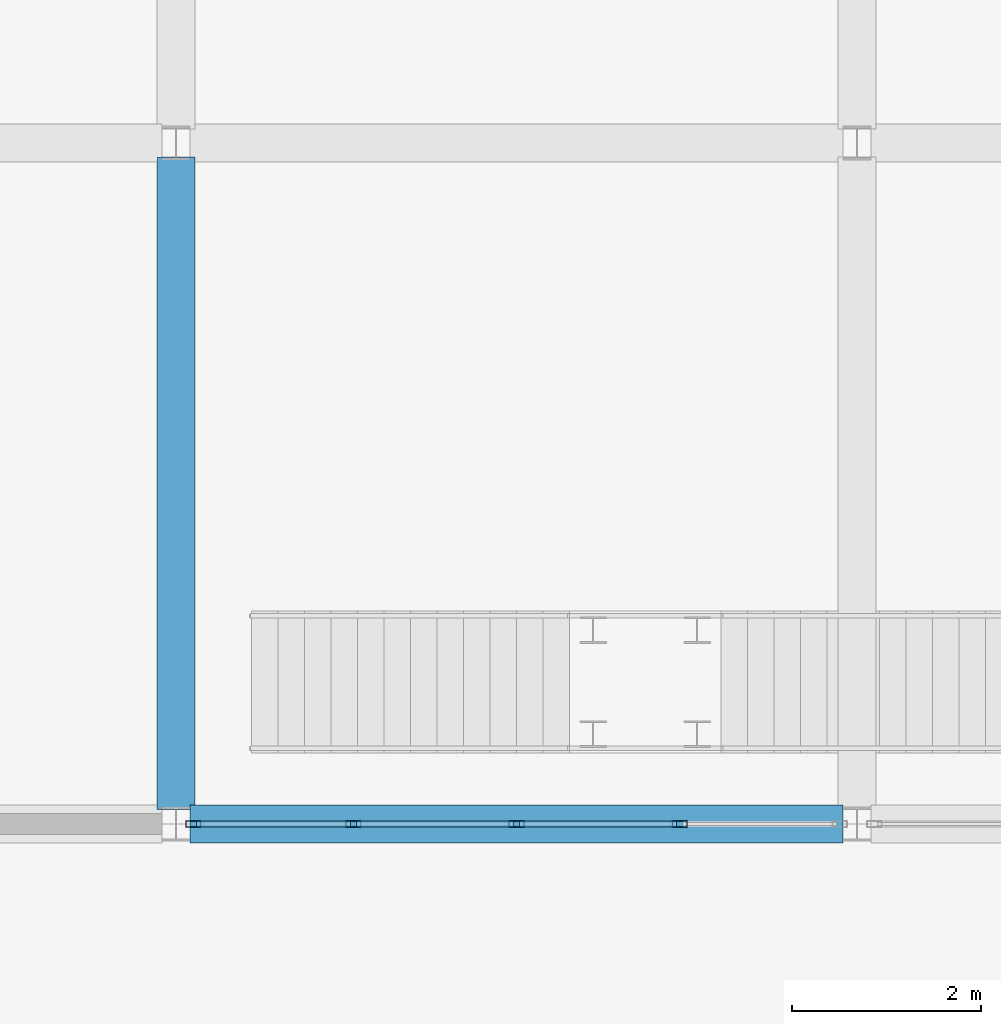
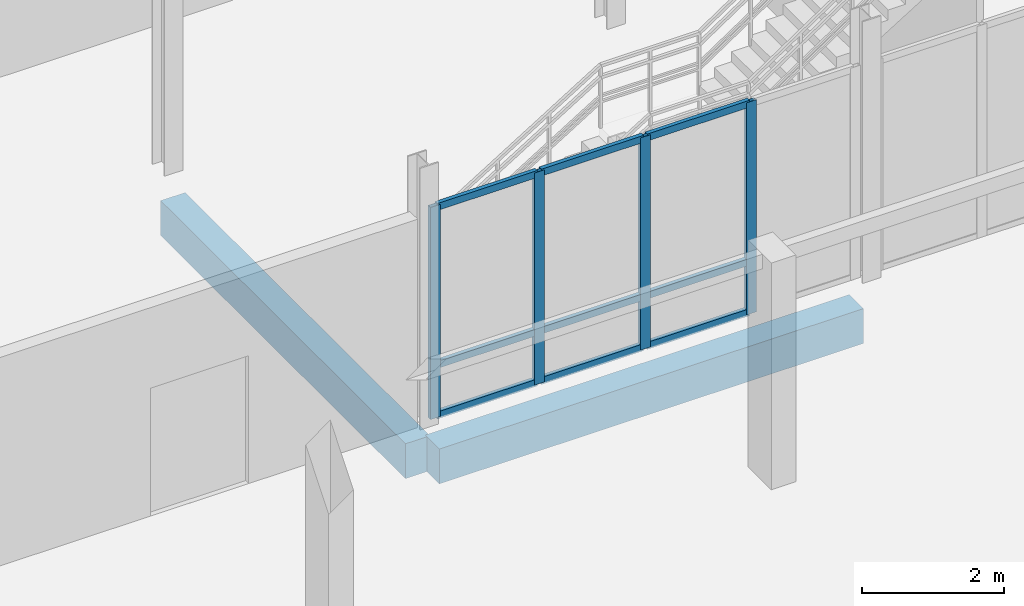
# One storey, part 77 of 139: 13 members, 2 beams, 1 element without a shape of its own.
"""IFC4 building model written with IfcOpenShell, lengths in metres."""

from ifc_helpers import new_model, si_unit, direction, frame, origin, origin_2d, place, context, subcontext, project, spatial, rectangle, hollow_rectangle, extrude, material, material_profile, profile_set, type_object, element, aggregate, save


model = new_model("IFC4")

# Units and contexts
model_context = context("Model", 3, precision=1e-05, world=origin(), true_north=direction((0.0, 1.0)))
body_context = subcontext(model_context, "Body", "Model", "MODEL_VIEW")
ifc_project = project(units=[si_unit("LENGTHUNIT", "METRE"), si_unit("AREAUNIT", "SQUARE_METRE"), si_unit("VOLUMEUNIT", "CUBIC_METRE"), si_unit("PLANEANGLEUNIT", "RADIAN"), si_unit("MASSUNIT", "GRAM", prefix="KILO")], contexts=[model_context])

# Site, building, storey
site_placement = place(None, origin())
site = spatial("IfcSite", under=ifc_project, at=site_placement, CompositionType="ELEMENT")
building_placement = place(site_placement, origin())
building = spatial("IfcBuilding", under=site, at=building_placement, Name="Suanplinth Sawtooth Commons", CompositionType="ELEMENT")
storey_placement = place(building_placement, origin())
storey = spatial("IfcBuildingStorey", under=building, at=storey_placement, Name="L00", CompositionType="ELEMENT", Elevation=0.0)

# Beams
ifc_material_1 = material(Name="Precast concrete C40/50", Category="concrete")
ifc_material_profile_1 = material_profile(ifc_material_1, rectangle(XDim=0.39990234375, YDim=0.60009765625, at=origin_2d()), Name="PC-GDR 400x600")
ifc_profile_set_1 = profile_set([ifc_material_profile_1], Name="Precast concrete C40/50")
beam_type = type_object("IfcBeamType", Name="B-05", PredefinedType="USERDEFINED", material=ifc_profile_set_1)
beam_1_placement = place(storey_placement, frame((136.949951171875, 50.39990234375, -0.719970703125), z_axis=(1.0, 0.0, 0.0), x_axis=(0.0, 1.0, 0.0)))
element("IfcBeam", 1, at=beam_1_placement, inside=storey, type_object=beam_type, Name="BMX-L00-NURS-19-7", ObjectType="GIRDER", PredefinedType="USERDEFINED", context=body_context, shape_type="SweptSolid", body=[
    extrude(rectangle(XDim=0.39990234375, YDim=0.60009765625, at=origin_2d()), origin(), (0.0, 0.0, 1.0), 6.900146484375),
])
beam_2_placement = place(storey_placement, frame((136.800048828125, 50.550048828125, -0.719970703125), z_axis=(0.0, 1.0, 0.0), x_axis=(-1.0, 0.0, 0.0)))
element("IfcBeam", 2, at=beam_2_placement, inside=storey, type_object=beam_type, Name="BMY-L00-NURS-19-7", ObjectType="GIRDER", PredefinedType="USERDEFINED", context=body_context, shape_type="SweptSolid", body=[
    extrude(rectangle(XDim=0.39990234375, YDim=0.60009765625, at=origin_2d()), origin(), (0.0, 0.0, 1.0), 6.89990234375),
])

# Curtain wall, members
ifc_material_2 = material(Name="Anodized aluminium and low-E glazing", Category="aluminium")
curtain_wall_type = type_object("IfcCurtainWallType", Name="CW-02", PredefinedType="USERDEFINED", material=ifc_material_2)
curtain_wall_placement = place(storey_placement, origin())
curtain_wall = element("IfcCurtainWall", 3, at=curtain_wall_placement, inside=storey, type_object=curtain_wall_type, Name="Curtain Wall CW-L00-NURS-S-19", ObjectType="CURTAIN WALL", PredefinedType="USERDEFINED")
ifc_material_3 = material(Name="Anodized aluminium 6063-T6", Category="aluminium")
ifc_material_profile_2 = material_profile(ifc_material_3, hollow_rectangle(XDim=0.06494140625, YDim=0.159912109375, WallThickness=0.00390625, at=origin_2d()), Name="ALU-MUL 65x160")
ifc_profile_set_2 = profile_set([ifc_material_profile_2], Name="Anodized aluminium 6063-T6")
member_type_1 = type_object("IfcMemberType", Name="M-13", PredefinedType="MULLION", material=ifc_profile_set_2)
member_1_placement = place(storey_placement, frame((136.982421875, 50.39990234375, 0.0), z_axis=(0.0, 0.0, 1.0), x_axis=(0.0, 1.0, 0.0)))
member_1 = element("IfcMember", 4, at=member_1_placement, type_object=member_type_1, Name="CW-02 mullion 1", PredefinedType="MULLION", context=body_context, shape_type="SweptSolid", body=[
    extrude(hollow_rectangle(XDim=0.06494140625, YDim=0.159912109375, WallThickness=0.00390625, at=origin_2d()), origin(), (0.0, 0.0, 1.0), 3.64990234375),
])
member_2_placement = place(storey_placement, frame((138.675048828125, 50.39990234375, 0.0), z_axis=(0.0, 0.0, 1.0), x_axis=(0.0, 1.0, 0.0)))
member_2 = element("IfcMember", 5, at=member_2_placement, type_object=member_type_1, Name="CW-02 mullion 2", PredefinedType="MULLION", context=body_context, shape_type="SweptSolid", body=[
    extrude(hollow_rectangle(XDim=0.06494140625, YDim=0.159912109375, WallThickness=0.00390625, at=origin_2d()), origin(), (0.0, 0.0, 1.0), 3.64990234375),
])
member_3_placement = place(storey_placement, frame((140.39990234375, 50.39990234375, 0.0), z_axis=(0.0, 0.0, 1.0), x_axis=(0.0, 1.0, 0.0)))
member_3 = element("IfcMember", 6, at=member_3_placement, type_object=member_type_1, Name="CW-02 mullion 3", PredefinedType="MULLION", context=body_context, shape_type="SweptSolid", body=[
    extrude(hollow_rectangle(XDim=0.06494140625, YDim=0.159912109375, WallThickness=0.00390625, at=origin_2d()), origin(), (0.0, 0.0, 1.0), 3.64990234375),
])
member_4_placement = place(storey_placement, frame((142.125, 50.39990234375, 0.0), z_axis=(0.0, 0.0, 1.0), x_axis=(0.0, 1.0, 0.0)))
member_4 = element("IfcMember", 7, at=member_4_placement, type_object=member_type_1, Name="CW-02 mullion 4", PredefinedType="MULLION", context=body_context, shape_type="SweptSolid", body=[
    extrude(hollow_rectangle(XDim=0.06494140625, YDim=0.159912109375, WallThickness=0.00390625, at=origin_2d()), origin(), (0.0, 0.0, 1.0), 3.64990234375),
])
ifc_material_profile_3 = material_profile(ifc_material_3, hollow_rectangle(XDim=0.06494140625, YDim=0.1201171875, WallThickness=0.00390625, at=origin_2d()), Name="ALU-TRN 65x120")
ifc_profile_set_3 = profile_set([ifc_material_profile_3], Name="Anodized aluminium 6063-T6")
member_type_2 = type_object("IfcMemberType", Name="M-15", PredefinedType="USERDEFINED", material=ifc_profile_set_3)
member_5_placement = place(storey_placement, frame((137.014892578125, 50.39990234375, 0.032470703125), z_axis=(1.0, 0.0, 0.0), x_axis=(0.0, 1.0, 0.0)))
member_5 = element("IfcMember", 8, at=member_5_placement, type_object=member_type_2, Name="CW-02 transom 1.1", ObjectType="TRANSOM", PredefinedType="USERDEFINED", context=body_context, shape_type="SweptSolid", body=[
    extrude(hollow_rectangle(XDim=0.06494140625, YDim=0.1201171875, WallThickness=0.00390625, at=origin_2d()), origin(), (0.0, 0.0, 1.0), 1.627685546875),
])
member_6_placement = place(storey_placement, frame((137.014892578125, 50.39990234375, 0.89990234375), z_axis=(1.0, 0.0, 0.0), x_axis=(0.0, 1.0, 0.0)))
member_6 = element("IfcMember", 9, at=member_6_placement, type_object=member_type_2, Name="CW-02 transom 1.2", ObjectType="TRANSOM", PredefinedType="USERDEFINED", context=body_context, shape_type="SweptSolid", body=[
    extrude(hollow_rectangle(XDim=0.06494140625, YDim=0.1201171875, WallThickness=0.00390625, at=origin_2d()), origin(), (0.0, 0.0, 1.0), 1.627685546875),
])
member_7_placement = place(storey_placement, frame((137.014892578125, 50.39990234375, 3.617431640625), z_axis=(1.0, 0.0, 0.0), x_axis=(0.0, 1.0, 0.0)))
member_7 = element("IfcMember", 10, at=member_7_placement, type_object=member_type_2, Name="CW-02 transom 1.3", ObjectType="TRANSOM", PredefinedType="USERDEFINED", context=body_context, shape_type="SweptSolid", body=[
    extrude(hollow_rectangle(XDim=0.06494140625, YDim=0.1201171875, WallThickness=0.00390625, at=origin_2d()), origin(), (0.0, 0.0, 1.0), 1.627685546875),
])
member_8_placement = place(storey_placement, frame((138.70751953125, 50.39990234375, 0.032470703125), z_axis=(1.0, 0.0, 0.0), x_axis=(0.0, 1.0, 0.0)))
member_8 = element("IfcMember", 11, at=member_8_placement, type_object=member_type_2, Name="CW-02 transom 2.1", ObjectType="TRANSOM", PredefinedType="USERDEFINED", context=body_context, shape_type="SweptSolid", body=[
    extrude(hollow_rectangle(XDim=0.06494140625, YDim=0.1201171875, WallThickness=0.00390625, at=origin_2d()), origin(), (0.0, 0.0, 1.0), 1.659912109375),
])
member_9_placement = place(storey_placement, frame((138.70751953125, 50.39990234375, 0.89990234375), z_axis=(1.0, 0.0, 0.0), x_axis=(0.0, 1.0, 0.0)))
member_9 = element("IfcMember", 12, at=member_9_placement, type_object=member_type_2, Name="CW-02 transom 2.2", ObjectType="TRANSOM", PredefinedType="USERDEFINED", context=body_context, shape_type="SweptSolid", body=[
    extrude(hollow_rectangle(XDim=0.06494140625, YDim=0.1201171875, WallThickness=0.00390625, at=origin_2d()), origin(), (0.0, 0.0, 1.0), 1.659912109375),
])
member_10_placement = place(storey_placement, frame((138.70751953125, 50.39990234375, 3.617431640625), z_axis=(1.0, 0.0, 0.0), x_axis=(0.0, 1.0, 0.0)))
member_10 = element("IfcMember", 13, at=member_10_placement, type_object=member_type_2, Name="CW-02 transom 2.3", ObjectType="TRANSOM", PredefinedType="USERDEFINED", context=body_context, shape_type="SweptSolid", body=[
    extrude(hollow_rectangle(XDim=0.06494140625, YDim=0.1201171875, WallThickness=0.00390625, at=origin_2d()), origin(), (0.0, 0.0, 1.0), 1.659912109375),
])
member_11_placement = place(storey_placement, frame((140.4326171875, 50.39990234375, 0.032470703125), z_axis=(1.0, 0.0, 0.0), x_axis=(0.0, 1.0, 0.0)))
member_11 = element("IfcMember", 14, at=member_11_placement, type_object=member_type_2, Name="CW-02 transom 3.1", ObjectType="TRANSOM", PredefinedType="USERDEFINED", context=body_context, shape_type="SweptSolid", body=[
    extrude(hollow_rectangle(XDim=0.06494140625, YDim=0.1201171875, WallThickness=0.00390625, at=origin_2d()), origin(), (0.0, 0.0, 1.0), 1.659912109375),
])
member_12_placement = place(storey_placement, frame((140.4326171875, 50.39990234375, 0.89990234375), z_axis=(1.0, 0.0, 0.0), x_axis=(0.0, 1.0, 0.0)))
member_12 = element("IfcMember", 15, at=member_12_placement, type_object=member_type_2, Name="CW-02 transom 3.2", ObjectType="TRANSOM", PredefinedType="USERDEFINED", context=body_context, shape_type="SweptSolid", body=[
    extrude(hollow_rectangle(XDim=0.06494140625, YDim=0.1201171875, WallThickness=0.00390625, at=origin_2d()), origin(), (0.0, 0.0, 1.0), 1.659912109375),
])
member_13_placement = place(storey_placement, frame((140.4326171875, 50.39990234375, 3.617431640625), z_axis=(1.0, 0.0, 0.0), x_axis=(0.0, 1.0, 0.0)))
member_13 = element("IfcMember", 16, at=member_13_placement, type_object=member_type_2, Name="CW-02 transom 3.3", ObjectType="TRANSOM", PredefinedType="USERDEFINED", context=body_context, shape_type="SweptSolid", body=[
    extrude(hollow_rectangle(XDim=0.06494140625, YDim=0.1201171875, WallThickness=0.00390625, at=origin_2d()), origin(), (0.0, 0.0, 1.0), 1.659912109375),
])
aggregate(curtain_wall, [member_1, member_2, member_3, member_4, member_5, member_6, member_7, member_8, member_9, member_10, member_11, member_12, member_13])

save(model, "model.ifc")
